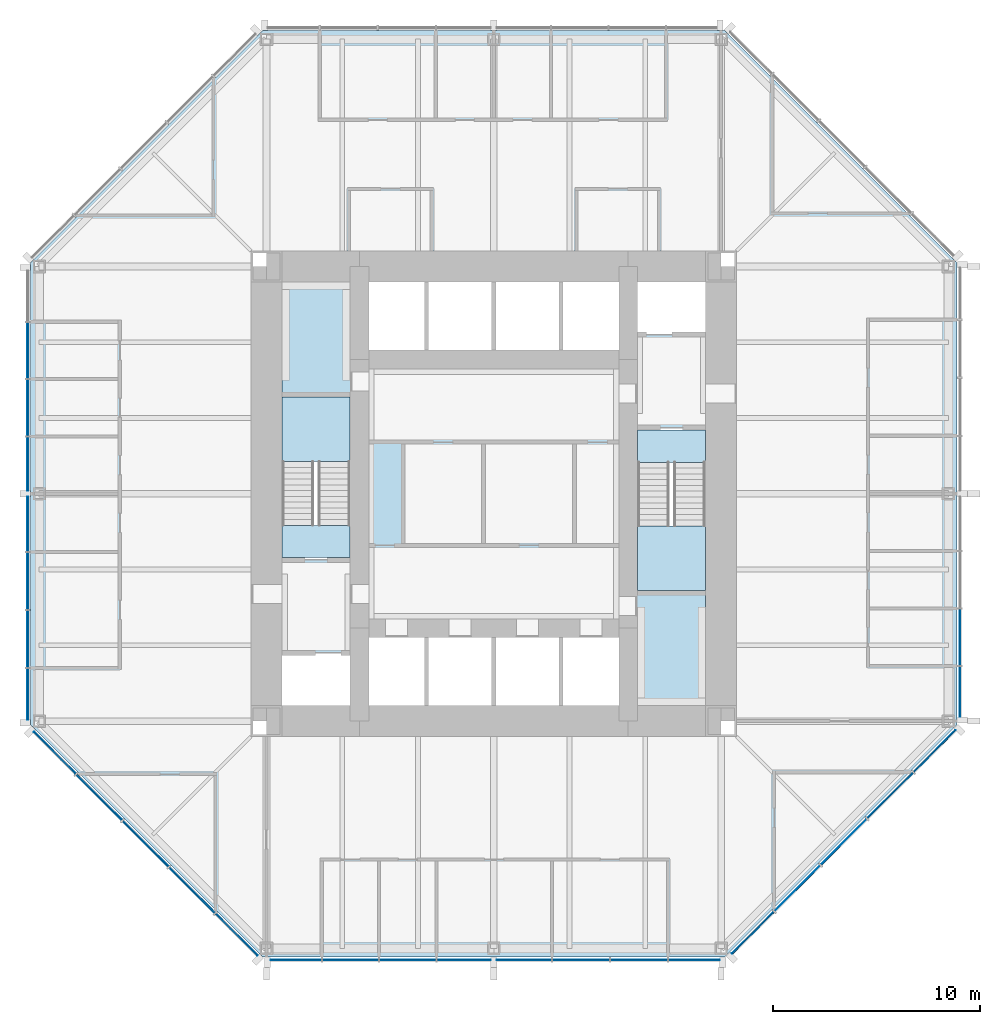
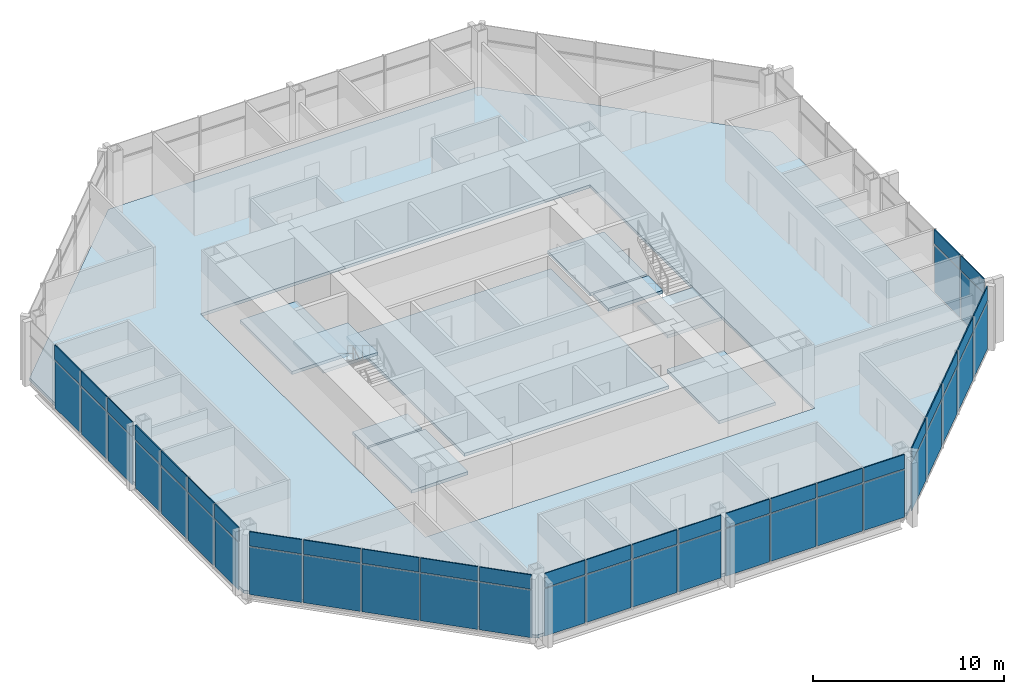
# One storey, part 7 of 12: 54 plates, 10 slabs, 7 elements without a shape of their own.
"""IFC4 building model written with IfcOpenShell, lengths in metres."""

from ifc_helpers import new_model, si_unit, direction, frame, origin, origin_2d, place, context, subcontext, project, spatial, polyline, rectangle, outline, extrude, material, layer, layer_set, type_object, element, aggregate, save


model = new_model("IFC4")

# Units and contexts
model_context = context("Model", 3, precision=1e-05, world=origin(), true_north=direction((0.0, 1.0)))
body_context = subcontext(model_context, "Body", "Model", "MODEL_VIEW")
ifc_project = project(units=[si_unit("LENGTHUNIT", "METRE"), si_unit("AREAUNIT", "SQUARE_METRE"), si_unit("VOLUMEUNIT", "CUBIC_METRE"), si_unit("PLANEANGLEUNIT", "RADIAN"), si_unit("MASSUNIT", "GRAM", prefix="KILO")], contexts=[model_context])

# Site, building, storey
site_placement = place(None, origin())
site = spatial("IfcSite", under=ifc_project, at=site_placement, CompositionType="ELEMENT")
building_placement = place(site_placement, origin())
building = spatial("IfcBuilding", under=site, at=building_placement, Name="Trevanion Tower", CompositionType="ELEMENT")
storey_placement = place(building_placement, frame((0.0, 0.0, 170.5)))
storey = spatial("IfcBuildingStorey", under=building, at=storey_placement, Name="L40", CompositionType="ELEMENT", Elevation=170.5)

# Curtain wall, plates
ifc_material_1 = material(Name="Aluminium and glass", Category="aluminium")
curtain_wall_type = type_object("IfcCurtainWallType", Name="CW2 curtain wall", PredefinedType="USERDEFINED", material=ifc_material_1)
curtain_wall_1_placement = place(storey_placement, origin())
curtain_wall_1 = element("IfcCurtainWall", 1, at=curtain_wall_1_placement, inside=storey, type_object=curtain_wall_type, Name="CW2 L40 0", ObjectType="UNITISED CURTAIN WALL", PredefinedType="USERDEFINED")
ifc_material_2 = material(Name="Aluminium spandrel panel", Category="aluminium")
ifc_layer_1 = layer(ifc_material_2, 0.06005859375)
ifc_layer_set_1 = layer_set([ifc_layer_1], Name="CW2 spandrel panel")
plate_type_1 = type_object("IfcPlateType", Name="CW2 spandrel panel", PredefinedType="CURTAIN_PANEL", material=ifc_layer_set_1)
plate_1_placement = place(storey_placement, frame((22.550048828125, -9.579345703125, 2.99755859375), z_axis=(0.0, 0.0, 1.0), x_axis=(0.0, 1.0, 0.0)))
plate_1 = element("IfcPlate", 2, at=plate_1_placement, type_object=plate_type_1, Name="CW2 panel 1.2", PredefinedType="CURTAIN_PANEL", context=body_context, shape_type="SweptSolid", body=[
    extrude(rectangle(XDim=2.43701171875, YDim=0.06005859375, at=origin_2d()), origin(), (0.0, 0.0, 1.0), 0.91259765625),
])
plate_2_placement = place(storey_placement, frame((22.550048828125, -6.93603515625, 2.99755859375), z_axis=(0.0, 0.0, 1.0), x_axis=(0.0, 1.0, 0.0)))
plate_2 = element("IfcPlate", 3, at=plate_2_placement, type_object=plate_type_1, Name="CW2 panel 2.2", PredefinedType="CURTAIN_PANEL", context=body_context, shape_type="SweptSolid", body=[
    extrude(rectangle(XDim=2.699462890625, YDim=0.06005859375, at=origin_2d()), origin(), (0.0, 0.0, 1.0), 0.91259765625),
])

curtain_wall_2_placement = place(storey_placement, origin())
curtain_wall_2 = element("IfcCurtainWall", 4, at=curtain_wall_2_placement, inside=storey, type_object=curtain_wall_type, Name="CW2 L40 4", ObjectType="UNITISED CURTAIN WALL", PredefinedType="USERDEFINED")
plate_3_placement = place(storey_placement, frame((-22.550048828125, 6.93603515625, 2.99755859375), z_axis=(0.0, 0.0, 1.0), x_axis=(0.0, -1.0, 0.0)))
plate_3 = element("IfcPlate", 5, at=plate_3_placement, type_object=plate_type_1, Name="CW2 panel 2.2", PredefinedType="CURTAIN_PANEL", context=body_context, shape_type="SweptSolid", body=[
    extrude(rectangle(XDim=2.699462890625, YDim=0.06005859375, at=origin_2d()), origin(), (0.0, 0.0, 1.0), 0.91259765625),
])
plate_4_placement = place(storey_placement, frame((-22.550048828125, 4.16162109375, 2.99755859375), z_axis=(0.0, 0.0, 1.0), x_axis=(0.0, -1.0, 0.0)))
plate_4 = element("IfcPlate", 6, at=plate_4_placement, type_object=plate_type_1, Name="CW2 panel 3.2", PredefinedType="CURTAIN_PANEL", context=body_context, shape_type="SweptSolid", body=[
    extrude(rectangle(XDim=2.699462890625, YDim=0.06005859375, at=origin_2d()), origin(), (0.0, 0.0, 1.0), 0.91259765625),
])
plate_5_placement = place(storey_placement, frame((-22.550048828125, 1.443603515625, 2.99755859375), z_axis=(0.0, 0.0, 1.0), x_axis=(0.0, -1.0, 0.0)))
plate_5 = element("IfcPlate", 7, at=plate_5_placement, type_object=plate_type_1, Name="CW2 panel 4.2", PredefinedType="CURTAIN_PANEL", context=body_context, shape_type="SweptSolid", body=[
    extrude(rectangle(XDim=2.5869140625, YDim=0.06005859375, at=origin_2d()), origin(), (0.0, 0.0, 1.0), 0.91259765625),
])
plate_6_placement = place(storey_placement, frame((-22.550048828125, -1.459716796875, 2.99755859375), z_axis=(0.0, 0.0, 1.0), x_axis=(0.0, -1.0, 0.0)))
plate_6 = element("IfcPlate", 8, at=plate_6_placement, type_object=plate_type_1, Name="CW2 panel 5.2", PredefinedType="CURTAIN_PANEL", context=body_context, shape_type="SweptSolid", body=[
    extrude(rectangle(XDim=2.619384765625, YDim=0.06005859375, at=origin_2d()), origin(), (0.0, 0.0, 1.0), 0.91259765625),
])
plate_7_placement = place(storey_placement, frame((-22.550048828125, -4.21044921875, 2.99755859375), z_axis=(0.0, 0.0, 1.0), x_axis=(0.0, -1.0, 0.0)))
plate_7 = element("IfcPlate", 9, at=plate_7_placement, type_object=plate_type_1, Name="CW2 panel 6.2", PredefinedType="CURTAIN_PANEL", context=body_context, shape_type="SweptSolid", body=[
    extrude(rectangle(XDim=2.73193359375, YDim=0.06005859375, at=origin_2d()), origin(), (0.0, 0.0, 1.0), 0.91259765625),
])
plate_8_placement = place(storey_placement, frame((-22.550048828125, -7.017333984375, 2.99755859375), z_axis=(0.0, 0.0, 1.0), x_axis=(0.0, -1.0, 0.0)))
plate_8 = element("IfcPlate", 10, at=plate_8_placement, type_object=plate_type_1, Name="CW2 panel 7.2", PredefinedType="CURTAIN_PANEL", context=body_context, shape_type="SweptSolid", body=[
    extrude(rectangle(XDim=2.73193359375, YDim=0.06005859375, at=origin_2d()), origin(), (0.0, 0.0, 1.0), 0.91259765625),
])
plate_9_placement = place(storey_placement, frame((-22.550048828125, -9.693115234375, 2.99755859375), z_axis=(0.0, 0.0, 1.0), x_axis=(0.0, -1.0, 0.0)))
plate_9 = element("IfcPlate", 11, at=plate_9_placement, type_object=plate_type_1, Name="CW2 panel 8.2", PredefinedType="CURTAIN_PANEL", context=body_context, shape_type="SweptSolid", body=[
    extrude(rectangle(XDim=2.469482421875, YDim=0.06005859375, at=origin_2d()), origin(), (0.0, 0.0, 1.0), 0.91259765625),
])

curtain_wall_3_placement = place(storey_placement, origin())
curtain_wall_3 = element("IfcCurtainWall", 12, at=curtain_wall_3_placement, inside=storey, type_object=curtain_wall_type, Name="CW2 L40 5", ObjectType="UNITISED CURTAIN WALL", PredefinedType="USERDEFINED")
plate_10_placement = place(storey_placement, frame((-21.2421875, -12.53564453125, 2.99755859375), z_axis=(0.0, 0.0, 1.0), x_axis=(0.707106781187, -0.707106781187, 0.0)))
plate_10 = element("IfcPlate", 13, at=plate_10_placement, type_object=plate_type_1, Name="CW2 panel 1.2", PredefinedType="CURTAIN_PANEL", context=body_context, shape_type="SweptSolid", body=[
    extrude(rectangle(XDim=2.8388671875, YDim=0.06005859375, at=origin_2d()), origin(), (0.0, 0.0, 1.0), 0.91259765625),
])
plate_11_placement = place(storey_placement, frame((-19.089111328125, -14.688720703125, 2.99755859375), z_axis=(0.0, 0.0, 1.0), x_axis=(0.707106781187, -0.707106781187, 0.0)))
plate_11 = element("IfcPlate", 14, at=plate_11_placement, type_object=plate_type_1, Name="CW2 panel 2.2", PredefinedType="CURTAIN_PANEL", context=body_context, shape_type="SweptSolid", body=[
    extrude(rectangle(XDim=3.101318359375, YDim=0.06005859375, at=origin_2d()), origin(), (0.0, 0.0, 1.0), 0.91259765625),
])
plate_12_placement = place(storey_placement, frame((-16.843017578125, -16.934814453125, 2.99755859375), z_axis=(0.0, 0.0, 1.0), x_axis=(0.707106781187, -0.707106781187, 0.0)))
plate_12 = element("IfcPlate", 15, at=plate_12_placement, type_object=plate_type_1, Name="CW2 panel 3.2", PredefinedType="CURTAIN_PANEL", context=body_context, shape_type="SweptSolid", body=[
    extrude(rectangle(XDim=3.101318359375, YDim=0.06005859375, at=origin_2d()), origin(), (0.0, 0.0, 1.0), 0.91259765625),
])
plate_13_placement = place(storey_placement, frame((-14.596923828125, -19.180908203125, 2.99755859375), z_axis=(0.0, 0.0, 1.0), x_axis=(0.707106781187, -0.707106781187, 0.0)))
plate_13 = element("IfcPlate", 16, at=plate_13_placement, type_object=plate_type_1, Name="CW2 panel 4.2", PredefinedType="CURTAIN_PANEL", context=body_context, shape_type="SweptSolid", body=[
    extrude(rectangle(XDim=3.101318359375, YDim=0.06005859375, at=origin_2d()), origin(), (0.0, 0.0, 1.0), 0.91259765625),
])
plate_14_placement = place(storey_placement, frame((-12.443603515625, -21.334228515625, 2.99755859375), z_axis=(0.0, 0.0, 1.0), x_axis=(0.707106781187, -0.707106781187, 0.0)))
plate_14 = element("IfcPlate", 17, at=plate_14_placement, type_object=plate_type_1, Name="CW2 panel 5.2", PredefinedType="CURTAIN_PANEL", context=body_context, shape_type="SweptSolid", body=[
    extrude(rectangle(XDim=2.8388671875, YDim=0.06005859375, at=origin_2d()), origin(), (0.0, 0.0, 1.0), 0.91259765625),
])

curtain_wall_4_placement = place(storey_placement, origin())
curtain_wall_4 = element("IfcCurtainWall", 18, at=curtain_wall_4_placement, inside=storey, type_object=curtain_wall_type, Name="CW2 L40 6", ObjectType="UNITISED CURTAIN WALL", PredefinedType="USERDEFINED")
plate_15_placement = place(storey_placement, frame((-9.579345703125, -22.550048828125, 2.99755859375), z_axis=(0.0, 0.0, 1.0), x_axis=(1.0, 0.0, 0.0)))
plate_15 = element("IfcPlate", 19, at=plate_15_placement, type_object=plate_type_1, Name="CW2 panel 1.2", PredefinedType="CURTAIN_PANEL", context=body_context, shape_type="SweptSolid", body=[
    extrude(rectangle(XDim=2.43701171875, YDim=0.06005859375, at=origin_2d()), origin(), (0.0, 0.0, 1.0), 0.91259765625),
])
plate_16_placement = place(storey_placement, frame((-6.93603515625, -22.550048828125, 2.99755859375), z_axis=(0.0, 0.0, 1.0), x_axis=(1.0, 0.0, 0.0)))
plate_16 = element("IfcPlate", 20, at=plate_16_placement, type_object=plate_type_1, Name="CW2 panel 2.2", PredefinedType="CURTAIN_PANEL", context=body_context, shape_type="SweptSolid", body=[
    extrude(rectangle(XDim=2.699462890625, YDim=0.06005859375, at=origin_2d()), origin(), (0.0, 0.0, 1.0), 0.91259765625),
])
plate_17_placement = place(storey_placement, frame((-4.16162109375, -22.550048828125, 2.99755859375), z_axis=(0.0, 0.0, 1.0), x_axis=(1.0, 0.0, 0.0)))
plate_17 = element("IfcPlate", 21, at=plate_17_placement, type_object=plate_type_1, Name="CW2 panel 3.2", PredefinedType="CURTAIN_PANEL", context=body_context, shape_type="SweptSolid", body=[
    extrude(rectangle(XDim=2.699462890625, YDim=0.06005859375, at=origin_2d()), origin(), (0.0, 0.0, 1.0), 0.91259765625),
])
plate_18_placement = place(storey_placement, frame((-1.443603515625, -22.550048828125, 2.99755859375), z_axis=(0.0, 0.0, 1.0), x_axis=(1.0, 0.0, 0.0)))
plate_18 = element("IfcPlate", 22, at=plate_18_placement, type_object=plate_type_1, Name="CW2 panel 4.2", PredefinedType="CURTAIN_PANEL", context=body_context, shape_type="SweptSolid", body=[
    extrude(rectangle(XDim=2.5869140625, YDim=0.06005859375, at=origin_2d()), origin(), (0.0, 0.0, 1.0), 0.91259765625),
])
plate_19_placement = place(storey_placement, frame((1.459716796875, -22.550048828125, 2.99755859375), z_axis=(0.0, 0.0, 1.0), x_axis=(1.0, 0.0, 0.0)))
plate_19 = element("IfcPlate", 23, at=plate_19_placement, type_object=plate_type_1, Name="CW2 panel 5.2", PredefinedType="CURTAIN_PANEL", context=body_context, shape_type="SweptSolid", body=[
    extrude(rectangle(XDim=2.619384765625, YDim=0.06005859375, at=origin_2d()), origin(), (0.0, 0.0, 1.0), 0.91259765625),
])
plate_20_placement = place(storey_placement, frame((4.21044921875, -22.550048828125, 2.99755859375), z_axis=(0.0, 0.0, 1.0), x_axis=(1.0, 0.0, 0.0)))
plate_20 = element("IfcPlate", 24, at=plate_20_placement, type_object=plate_type_1, Name="CW2 panel 6.2", PredefinedType="CURTAIN_PANEL", context=body_context, shape_type="SweptSolid", body=[
    extrude(rectangle(XDim=2.73193359375, YDim=0.06005859375, at=origin_2d()), origin(), (0.0, 0.0, 1.0), 0.91259765625),
])
plate_21_placement = place(storey_placement, frame((7.017333984375, -22.550048828125, 2.99755859375), z_axis=(0.0, 0.0, 1.0), x_axis=(1.0, 0.0, 0.0)))
plate_21 = element("IfcPlate", 25, at=plate_21_placement, type_object=plate_type_1, Name="CW2 panel 7.2", PredefinedType="CURTAIN_PANEL", context=body_context, shape_type="SweptSolid", body=[
    extrude(rectangle(XDim=2.73193359375, YDim=0.06005859375, at=origin_2d()), origin(), (0.0, 0.0, 1.0), 0.91259765625),
])
plate_22_placement = place(storey_placement, frame((9.693115234375, -22.550048828125, 2.99755859375), z_axis=(0.0, 0.0, 1.0), x_axis=(1.0, 0.0, 0.0)))
plate_22 = element("IfcPlate", 26, at=plate_22_placement, type_object=plate_type_1, Name="CW2 panel 8.2", PredefinedType="CURTAIN_PANEL", context=body_context, shape_type="SweptSolid", body=[
    extrude(rectangle(XDim=2.469482421875, YDim=0.06005859375, at=origin_2d()), origin(), (0.0, 0.0, 1.0), 0.91259765625),
])

curtain_wall_5_placement = place(storey_placement, origin())
curtain_wall_5 = element("IfcCurtainWall", 27, at=curtain_wall_5_placement, inside=storey, type_object=curtain_wall_type, Name="CW2 L40 7", ObjectType="UNITISED CURTAIN WALL", PredefinedType="USERDEFINED")
plate_23_placement = place(storey_placement, frame((12.53564453125, -21.2421875, 2.99755859375), z_axis=(0.0, 0.0, 1.0), x_axis=(0.707106781187, 0.707106781187, 0.0)))
plate_23 = element("IfcPlate", 28, at=plate_23_placement, type_object=plate_type_1, Name="CW2 panel 1.2", PredefinedType="CURTAIN_PANEL", context=body_context, shape_type="SweptSolid", body=[
    extrude(rectangle(XDim=2.8388671875, YDim=0.06005859375, at=origin_2d()), origin(), (0.0, 0.0, 1.0), 0.91259765625),
])
plate_24_placement = place(storey_placement, frame((14.688720703125, -19.089111328125, 2.99755859375), z_axis=(0.0, 0.0, 1.0), x_axis=(0.707106781187, 0.707106781187, 0.0)))
plate_24 = element("IfcPlate", 29, at=plate_24_placement, type_object=plate_type_1, Name="CW2 panel 2.2", PredefinedType="CURTAIN_PANEL", context=body_context, shape_type="SweptSolid", body=[
    extrude(rectangle(XDim=3.101318359375, YDim=0.06005859375, at=origin_2d()), origin(), (0.0, 0.0, 1.0), 0.91259765625),
])
plate_25_placement = place(storey_placement, frame((16.934814453125, -16.843017578125, 2.99755859375), z_axis=(0.0, 0.0, 1.0), x_axis=(0.707106781187, 0.707106781187, 0.0)))
plate_25 = element("IfcPlate", 30, at=plate_25_placement, type_object=plate_type_1, Name="CW2 panel 3.2", PredefinedType="CURTAIN_PANEL", context=body_context, shape_type="SweptSolid", body=[
    extrude(rectangle(XDim=3.101318359375, YDim=0.06005859375, at=origin_2d()), origin(), (0.0, 0.0, 1.0), 0.91259765625),
])
plate_26_placement = place(storey_placement, frame((19.180908203125, -14.596923828125, 2.99755859375), z_axis=(0.0, 0.0, 1.0), x_axis=(0.707106781187, 0.707106781187, 0.0)))
plate_26 = element("IfcPlate", 31, at=plate_26_placement, type_object=plate_type_1, Name="CW2 panel 4.2", PredefinedType="CURTAIN_PANEL", context=body_context, shape_type="SweptSolid", body=[
    extrude(rectangle(XDim=3.101318359375, YDim=0.06005859375, at=origin_2d()), origin(), (0.0, 0.0, 1.0), 0.91259765625),
])
plate_27_placement = place(storey_placement, frame((21.334228515625, -12.443603515625, 2.99755859375), z_axis=(0.0, 0.0, 1.0), x_axis=(0.707106781187, 0.707106781187, 0.0)))
plate_27 = element("IfcPlate", 32, at=plate_27_placement, type_object=plate_type_1, Name="CW2 panel 5.2", PredefinedType="CURTAIN_PANEL", context=body_context, shape_type="SweptSolid", body=[
    extrude(rectangle(XDim=2.8388671875, YDim=0.06005859375, at=origin_2d()), origin(), (0.0, 0.0, 1.0), 0.91259765625),
])

# Plate
ifc_material_3 = material(Name="Insulating glass unit", Category="glass")
ifc_layer_2 = layer(ifc_material_3, 0.028076171875)
ifc_layer_set_2 = layer_set([ifc_layer_2], Name="CW2 vision panel")
plate_type_2 = type_object("IfcPlateType", Name="CW2 vision panel", PredefinedType="CURTAIN_PANEL", material=ifc_layer_set_2)
plate_28_placement = place(storey_placement, frame((22.550048828125, -9.579345703125, -0.114990234375), z_axis=(0.0, 0.0, 1.0), x_axis=(0.0, 1.0, 0.0)))
plate_28 = element("IfcPlate", 33, at=plate_28_placement, type_object=plate_type_2, Name="CW2 panel 1.1", PredefinedType="CURTAIN_PANEL", context=body_context, shape_type="SweptSolid", body=[
    extrude(rectangle(XDim=2.43701171875, YDim=0.028076171875, at=origin_2d()), origin(), (0.0, 0.0, 1.0), 3.03759765625),
])

plate_29_placement = place(storey_placement, frame((22.550048828125, -6.93603515625, -0.114990234375), z_axis=(0.0, 0.0, 1.0), x_axis=(0.0, 1.0, 0.0)))
plate_29 = element("IfcPlate", 34, at=plate_29_placement, type_object=plate_type_2, Name="CW2 panel 2.1", PredefinedType="CURTAIN_PANEL", context=body_context, shape_type="SweptSolid", body=[
    extrude(rectangle(XDim=2.699462890625, YDim=0.028076171875, at=origin_2d()), origin(), (0.0, 0.0, 1.0), 3.03759765625),
])

aggregate(curtain_wall_1, [plate_28, plate_1, plate_29, plate_2])

plate_30_placement = place(storey_placement, frame((-22.550048828125, 6.93603515625, -0.114990234375), z_axis=(0.0, 0.0, 1.0), x_axis=(0.0, -1.0, 0.0)))
plate_30 = element("IfcPlate", 35, at=plate_30_placement, type_object=plate_type_2, Name="CW2 panel 2.1", PredefinedType="CURTAIN_PANEL", context=body_context, shape_type="SweptSolid", body=[
    extrude(rectangle(XDim=2.699462890625, YDim=0.028076171875, at=origin_2d()), origin(), (0.0, 0.0, 1.0), 3.03759765625),
])

plate_31_placement = place(storey_placement, frame((-22.550048828125, 4.16162109375, -0.114990234375), z_axis=(0.0, 0.0, 1.0), x_axis=(0.0, -1.0, 0.0)))
plate_31 = element("IfcPlate", 36, at=plate_31_placement, type_object=plate_type_2, Name="CW2 panel 3.1", PredefinedType="CURTAIN_PANEL", context=body_context, shape_type="SweptSolid", body=[
    extrude(rectangle(XDim=2.699462890625, YDim=0.028076171875, at=origin_2d()), origin(), (0.0, 0.0, 1.0), 3.03759765625),
])

plate_32_placement = place(storey_placement, frame((-22.550048828125, 1.443603515625, -0.114990234375), z_axis=(0.0, 0.0, 1.0), x_axis=(0.0, -1.0, 0.0)))
plate_32 = element("IfcPlate", 37, at=plate_32_placement, type_object=plate_type_2, Name="CW2 panel 4.1", PredefinedType="CURTAIN_PANEL", context=body_context, shape_type="SweptSolid", body=[
    extrude(rectangle(XDim=2.5869140625, YDim=0.028076171875, at=origin_2d()), origin(), (0.0, 0.0, 1.0), 3.03759765625),
])

plate_33_placement = place(storey_placement, frame((-22.550048828125, -1.459716796875, -0.114990234375), z_axis=(0.0, 0.0, 1.0), x_axis=(0.0, -1.0, 0.0)))
plate_33 = element("IfcPlate", 38, at=plate_33_placement, type_object=plate_type_2, Name="CW2 panel 5.1", PredefinedType="CURTAIN_PANEL", context=body_context, shape_type="SweptSolid", body=[
    extrude(rectangle(XDim=2.619384765625, YDim=0.028076171875, at=origin_2d()), origin(), (0.0, 0.0, 1.0), 3.03759765625),
])

plate_34_placement = place(storey_placement, frame((-22.550048828125, -4.21044921875, -0.114990234375), z_axis=(0.0, 0.0, 1.0), x_axis=(0.0, -1.0, 0.0)))
plate_34 = element("IfcPlate", 39, at=plate_34_placement, type_object=plate_type_2, Name="CW2 panel 6.1", PredefinedType="CURTAIN_PANEL", context=body_context, shape_type="SweptSolid", body=[
    extrude(rectangle(XDim=2.73193359375, YDim=0.028076171875, at=origin_2d()), origin(), (0.0, 0.0, 1.0), 3.03759765625),
])

plate_35_placement = place(storey_placement, frame((-22.550048828125, -7.017333984375, -0.114990234375), z_axis=(0.0, 0.0, 1.0), x_axis=(0.0, -1.0, 0.0)))
plate_35 = element("IfcPlate", 40, at=plate_35_placement, type_object=plate_type_2, Name="CW2 panel 7.1", PredefinedType="CURTAIN_PANEL", context=body_context, shape_type="SweptSolid", body=[
    extrude(rectangle(XDim=2.73193359375, YDim=0.028076171875, at=origin_2d()), origin(), (0.0, 0.0, 1.0), 3.03759765625),
])

plate_36_placement = place(storey_placement, frame((-22.550048828125, -9.693115234375, -0.114990234375), z_axis=(0.0, 0.0, 1.0), x_axis=(0.0, -1.0, 0.0)))
plate_36 = element("IfcPlate", 41, at=plate_36_placement, type_object=plate_type_2, Name="CW2 panel 8.1", PredefinedType="CURTAIN_PANEL", context=body_context, shape_type="SweptSolid", body=[
    extrude(rectangle(XDim=2.469482421875, YDim=0.028076171875, at=origin_2d()), origin(), (0.0, 0.0, 1.0), 3.03759765625),
])

aggregate(curtain_wall_2, [plate_30, plate_3, plate_31, plate_4, plate_32, plate_5, plate_33, plate_6, plate_34, plate_7, plate_35, plate_8, plate_36, plate_9])

plate_37_placement = place(storey_placement, frame((-21.2421875, -12.53564453125, -0.114990234375), z_axis=(0.0, 0.0, 1.0), x_axis=(0.707106781187, -0.707106781187, 0.0)))
plate_37 = element("IfcPlate", 42, at=plate_37_placement, type_object=plate_type_2, Name="CW2 panel 1.1", PredefinedType="CURTAIN_PANEL", context=body_context, shape_type="SweptSolid", body=[
    extrude(rectangle(XDim=2.8388671875, YDim=0.028076171875, at=origin_2d()), origin(), (0.0, 0.0, 1.0), 3.03759765625),
])

plate_38_placement = place(storey_placement, frame((-19.089111328125, -14.688720703125, -0.114990234375), z_axis=(0.0, 0.0, 1.0), x_axis=(0.707106781187, -0.707106781187, 0.0)))
plate_38 = element("IfcPlate", 43, at=plate_38_placement, type_object=plate_type_2, Name="CW2 panel 2.1", PredefinedType="CURTAIN_PANEL", context=body_context, shape_type="SweptSolid", body=[
    extrude(rectangle(XDim=3.101318359375, YDim=0.028076171875, at=origin_2d()), origin(), (0.0, 0.0, 1.0), 3.03759765625),
])

plate_39_placement = place(storey_placement, frame((-16.843017578125, -16.934814453125, -0.114990234375), z_axis=(0.0, 0.0, 1.0), x_axis=(0.707106781187, -0.707106781187, 0.0)))
plate_39 = element("IfcPlate", 44, at=plate_39_placement, type_object=plate_type_2, Name="CW2 panel 3.1", PredefinedType="CURTAIN_PANEL", context=body_context, shape_type="SweptSolid", body=[
    extrude(rectangle(XDim=3.101318359375, YDim=0.028076171875, at=origin_2d()), origin(), (0.0, 0.0, 1.0), 3.03759765625),
])

plate_40_placement = place(storey_placement, frame((-14.596923828125, -19.180908203125, -0.114990234375), z_axis=(0.0, 0.0, 1.0), x_axis=(0.707106781187, -0.707106781187, 0.0)))
plate_40 = element("IfcPlate", 45, at=plate_40_placement, type_object=plate_type_2, Name="CW2 panel 4.1", PredefinedType="CURTAIN_PANEL", context=body_context, shape_type="SweptSolid", body=[
    extrude(rectangle(XDim=3.101318359375, YDim=0.028076171875, at=origin_2d()), origin(), (0.0, 0.0, 1.0), 3.03759765625),
])

plate_41_placement = place(storey_placement, frame((-12.443603515625, -21.334228515625, -0.114990234375), z_axis=(0.0, 0.0, 1.0), x_axis=(0.707106781187, -0.707106781187, 0.0)))
plate_41 = element("IfcPlate", 46, at=plate_41_placement, type_object=plate_type_2, Name="CW2 panel 5.1", PredefinedType="CURTAIN_PANEL", context=body_context, shape_type="SweptSolid", body=[
    extrude(rectangle(XDim=2.8388671875, YDim=0.028076171875, at=origin_2d()), origin(), (0.0, 0.0, 1.0), 3.03759765625),
])

aggregate(curtain_wall_3, [plate_37, plate_10, plate_38, plate_11, plate_39, plate_12, plate_40, plate_13, plate_41, plate_14])

plate_42_placement = place(storey_placement, frame((-9.579345703125, -22.550048828125, -0.114990234375), z_axis=(0.0, 0.0, 1.0), x_axis=(1.0, 0.0, 0.0)))
plate_42 = element("IfcPlate", 47, at=plate_42_placement, type_object=plate_type_2, Name="CW2 panel 1.1", PredefinedType="CURTAIN_PANEL", context=body_context, shape_type="SweptSolid", body=[
    extrude(rectangle(XDim=2.43701171875, YDim=0.028076171875, at=origin_2d()), origin(), (0.0, 0.0, 1.0), 3.03759765625),
])

plate_43_placement = place(storey_placement, frame((-6.93603515625, -22.550048828125, -0.114990234375), z_axis=(0.0, 0.0, 1.0), x_axis=(1.0, 0.0, 0.0)))
plate_43 = element("IfcPlate", 48, at=plate_43_placement, type_object=plate_type_2, Name="CW2 panel 2.1", PredefinedType="CURTAIN_PANEL", context=body_context, shape_type="SweptSolid", body=[
    extrude(rectangle(XDim=2.699462890625, YDim=0.028076171875, at=origin_2d()), origin(), (0.0, 0.0, 1.0), 3.03759765625),
])

plate_44_placement = place(storey_placement, frame((-4.16162109375, -22.550048828125, -0.114990234375), z_axis=(0.0, 0.0, 1.0), x_axis=(1.0, 0.0, 0.0)))
plate_44 = element("IfcPlate", 49, at=plate_44_placement, type_object=plate_type_2, Name="CW2 panel 3.1", PredefinedType="CURTAIN_PANEL", context=body_context, shape_type="SweptSolid", body=[
    extrude(rectangle(XDim=2.699462890625, YDim=0.028076171875, at=origin_2d()), origin(), (0.0, 0.0, 1.0), 3.03759765625),
])

plate_45_placement = place(storey_placement, frame((-1.443603515625, -22.550048828125, -0.114990234375), z_axis=(0.0, 0.0, 1.0), x_axis=(1.0, 0.0, 0.0)))
plate_45 = element("IfcPlate", 50, at=plate_45_placement, type_object=plate_type_2, Name="CW2 panel 4.1", PredefinedType="CURTAIN_PANEL", context=body_context, shape_type="SweptSolid", body=[
    extrude(rectangle(XDim=2.5869140625, YDim=0.028076171875, at=origin_2d()), origin(), (0.0, 0.0, 1.0), 3.03759765625),
])

plate_46_placement = place(storey_placement, frame((1.459716796875, -22.550048828125, -0.114990234375), z_axis=(0.0, 0.0, 1.0), x_axis=(1.0, 0.0, 0.0)))
plate_46 = element("IfcPlate", 51, at=plate_46_placement, type_object=plate_type_2, Name="CW2 panel 5.1", PredefinedType="CURTAIN_PANEL", context=body_context, shape_type="SweptSolid", body=[
    extrude(rectangle(XDim=2.619384765625, YDim=0.028076171875, at=origin_2d()), origin(), (0.0, 0.0, 1.0), 3.03759765625),
])

plate_47_placement = place(storey_placement, frame((4.21044921875, -22.550048828125, -0.114990234375), z_axis=(0.0, 0.0, 1.0), x_axis=(1.0, 0.0, 0.0)))
plate_47 = element("IfcPlate", 52, at=plate_47_placement, type_object=plate_type_2, Name="CW2 panel 6.1", PredefinedType="CURTAIN_PANEL", context=body_context, shape_type="SweptSolid", body=[
    extrude(rectangle(XDim=2.73193359375, YDim=0.028076171875, at=origin_2d()), origin(), (0.0, 0.0, 1.0), 3.03759765625),
])

plate_48_placement = place(storey_placement, frame((7.017333984375, -22.550048828125, -0.114990234375), z_axis=(0.0, 0.0, 1.0), x_axis=(1.0, 0.0, 0.0)))
plate_48 = element("IfcPlate", 53, at=plate_48_placement, type_object=plate_type_2, Name="CW2 panel 7.1", PredefinedType="CURTAIN_PANEL", context=body_context, shape_type="SweptSolid", body=[
    extrude(rectangle(XDim=2.73193359375, YDim=0.028076171875, at=origin_2d()), origin(), (0.0, 0.0, 1.0), 3.03759765625),
])

plate_49_placement = place(storey_placement, frame((9.693115234375, -22.550048828125, -0.114990234375), z_axis=(0.0, 0.0, 1.0), x_axis=(1.0, 0.0, 0.0)))
plate_49 = element("IfcPlate", 54, at=plate_49_placement, type_object=plate_type_2, Name="CW2 panel 8.1", PredefinedType="CURTAIN_PANEL", context=body_context, shape_type="SweptSolid", body=[
    extrude(rectangle(XDim=2.469482421875, YDim=0.028076171875, at=origin_2d()), origin(), (0.0, 0.0, 1.0), 3.03759765625),
])

aggregate(curtain_wall_4, [plate_42, plate_15, plate_43, plate_16, plate_44, plate_17, plate_45, plate_18, plate_46, plate_19, plate_47, plate_20, plate_48, plate_21, plate_49, plate_22])

plate_50_placement = place(storey_placement, frame((12.53564453125, -21.2421875, -0.114990234375), z_axis=(0.0, 0.0, 1.0), x_axis=(0.707106781187, 0.707106781187, 0.0)))
plate_50 = element("IfcPlate", 55, at=plate_50_placement, type_object=plate_type_2, Name="CW2 panel 1.1", PredefinedType="CURTAIN_PANEL", context=body_context, shape_type="SweptSolid", body=[
    extrude(rectangle(XDim=2.8388671875, YDim=0.028076171875, at=origin_2d()), origin(), (0.0, 0.0, 1.0), 3.03759765625),
])

plate_51_placement = place(storey_placement, frame((14.688720703125, -19.089111328125, -0.114990234375), z_axis=(0.0, 0.0, 1.0), x_axis=(0.707106781187, 0.707106781187, 0.0)))
plate_51 = element("IfcPlate", 56, at=plate_51_placement, type_object=plate_type_2, Name="CW2 panel 2.1", PredefinedType="CURTAIN_PANEL", context=body_context, shape_type="SweptSolid", body=[
    extrude(rectangle(XDim=3.101318359375, YDim=0.028076171875, at=origin_2d()), origin(), (0.0, 0.0, 1.0), 3.03759765625),
])

plate_52_placement = place(storey_placement, frame((16.934814453125, -16.843017578125, -0.114990234375), z_axis=(0.0, 0.0, 1.0), x_axis=(0.707106781187, 0.707106781187, 0.0)))
plate_52 = element("IfcPlate", 57, at=plate_52_placement, type_object=plate_type_2, Name="CW2 panel 3.1", PredefinedType="CURTAIN_PANEL", context=body_context, shape_type="SweptSolid", body=[
    extrude(rectangle(XDim=3.101318359375, YDim=0.028076171875, at=origin_2d()), origin(), (0.0, 0.0, 1.0), 3.03759765625),
])

plate_53_placement = place(storey_placement, frame((19.180908203125, -14.596923828125, -0.114990234375), z_axis=(0.0, 0.0, 1.0), x_axis=(0.707106781187, 0.707106781187, 0.0)))
plate_53 = element("IfcPlate", 58, at=plate_53_placement, type_object=plate_type_2, Name="CW2 panel 4.1", PredefinedType="CURTAIN_PANEL", context=body_context, shape_type="SweptSolid", body=[
    extrude(rectangle(XDim=3.101318359375, YDim=0.028076171875, at=origin_2d()), origin(), (0.0, 0.0, 1.0), 3.03759765625),
])

plate_54_placement = place(storey_placement, frame((21.334228515625, -12.443603515625, -0.114990234375), z_axis=(0.0, 0.0, 1.0), x_axis=(0.707106781187, 0.707106781187, 0.0)))
plate_54 = element("IfcPlate", 59, at=plate_54_placement, type_object=plate_type_2, Name="CW2 panel 5.1", PredefinedType="CURTAIN_PANEL", context=body_context, shape_type="SweptSolid", body=[
    extrude(rectangle(XDim=2.8388671875, YDim=0.028076171875, at=origin_2d()), origin(), (0.0, 0.0, 1.0), 3.03759765625),
])

aggregate(curtain_wall_5, [plate_50, plate_23, plate_51, plate_24, plate_52, plate_25, plate_53, plate_26, plate_54, plate_27])

# Slabs
ifc_material_4 = material(Name="Concrete 5,000 psi on composite metal deck", Category="concrete")
ifc_layer_3 = layer(ifc_material_4, 0.18994140625)
ifc_layer_set_3 = layer_set([ifc_layer_3], Name="SL1 composite floor 190")
slab_type_1 = type_object("IfcSlabType", Name="SL1 composite floor 190", PredefinedType="FLOOR", material=ifc_layer_set_3)
slab_1_placement = place(storey_placement, frame((0.0, 0.0, -0.18994140625)))
element("IfcSlab", 60, at=slab_1_placement, inside=storey, type_object=slab_type_1, Name="SL1 L40 floor", PredefinedType="FLOOR", context=body_context, shape_type="SweptSolid", body=[
    extrude(outline(polyline([(22.419921875, -11.174072265625), (22.419921875, 11.174072265625), (11.174072265625, 22.419921875), (-11.174072265625, 22.419921875), (-22.419921875, 11.174072265625), (-22.419921875, -11.174072265625), (-11.174072265625, -22.419921875), (11.174072265625, -22.419921875), (22.419921875, -11.174072265625)]), holes=[polyline([(11.75, -11.75), (11.75, 11.75), (-11.75, 11.75), (-11.75, -11.75), (11.75, -11.75)])]), origin(), (0.0, 0.0, 1.0), 0.18994140625),
])
ifc_material_5 = material(Name="Concrete 5,000 psi", Category="concrete")
ifc_layer_4 = layer(ifc_material_5, 0.199951171875)
ifc_layer_set_4 = layer_set([ifc_layer_4], Name="SL2 core floor 200")
slab_type_2 = type_object("IfcSlabType", Name="SL2 core floor 200", PredefinedType="FLOOR", material=ifc_layer_set_4)
slab_2_placement = place(storey_placement, frame((0.0, 0.0, -0.199951171875)))
element("IfcSlab", 61, at=slab_2_placement, inside=storey, type_object=slab_type_2, Name="SL2 L40 core floor 1", PredefinedType="FLOOR", context=body_context, shape_type="SweptSolid", body=[
    extrude(outline(polyline([(10.25, -4.804931640625), (10.25, -10.25), (6.830078125, -10.25), (6.830078125, -4.804931640625), (10.25, -4.804931640625)])), origin(), (0.0, 0.0, 1.0), 0.199951171875),
])
slab_3_placement = place(storey_placement, frame((0.0, 0.0, -0.199951171875)))
element("IfcSlab", 62, at=slab_3_placement, inside=storey, type_object=slab_type_2, Name="SL2 L40 core floor 2", PredefinedType="FLOOR", context=body_context, shape_type="SweptSolid", body=[
    extrude(outline(polyline([(-6.830078125, -3.205078125), (-6.830078125, -7.695068359375), (-10.25, -7.695068359375), (-10.25, -3.205078125), (-6.830078125, -3.205078125)])), origin(), (0.0, 0.0, 1.0), 0.199951171875),
])
slab_4_placement = place(storey_placement, frame((0.0, 0.0, -0.199951171875)))
element("IfcSlab", 63, at=slab_4_placement, inside=storey, type_object=slab_type_2, Name="SL2 L40 core floor 3", PredefinedType="FLOOR", context=body_context, shape_type="SweptSolid", body=[
    extrude(outline(polyline([(6.169921875, -6.169921875), (-6.169921875, -6.169921875), (-6.169921875, 6.169921875), (6.169921875, 6.169921875), (6.169921875, -6.169921875)])), origin(), (0.0, 0.0, 1.0), 0.199951171875),
])
slab_5_placement = place(storey_placement, frame((0.0, 0.0, -0.199951171875)))
element("IfcSlab", 64, at=slab_5_placement, inside=storey, type_object=slab_type_2, Name="SL2 L40 core floor 4", PredefinedType="FLOOR", context=body_context, shape_type="SweptSolid", body=[
    extrude(outline(polyline([(6.830078125, 3.205078125), (6.830078125, 7.695068359375), (10.25, 7.695068359375), (10.25, 3.205078125), (6.830078125, 3.205078125)])), origin(), (0.0, 0.0, 1.0), 0.199951171875),
])
slab_6_placement = place(storey_placement, frame((0.0, 0.0, -0.199951171875)))
element("IfcSlab", 65, at=slab_6_placement, inside=storey, type_object=slab_type_2, Name="SL2 L40 core floor 5", PredefinedType="FLOOR", context=body_context, shape_type="SweptSolid", body=[
    extrude(outline(polyline([(-6.830078125, 4.804931640625), (-10.25, 4.804931640625), (-10.25, 10.25), (-6.830078125, 10.25), (-6.830078125, 4.804931640625)])), origin(), (0.0, 0.0, 1.0), 0.199951171875),
])

# Stair, slabs
ifc_material_6 = material(Name="Concrete 5,000 psi on steel stringers", Category="concrete")
stair_type = type_object("IfcStairType", Name="ST stair", PredefinedType="HALF_TURN_STAIR", material=ifc_material_6)
stair_1_placement = place(storey_placement, origin())
stair_1 = element("IfcStair", 66, at=stair_1_placement, inside=storey, type_object=stair_type, Name="ST1 L40", PredefinedType="HALF_TURN_STAIR")
ifc_material_7 = material(Name="Concrete 5,000 psi in steel pan", Category="concrete")
ifc_layer_5 = layer(ifc_material_7, 0.199951171875)
ifc_layer_set_5 = layer_set([ifc_layer_5], Name="STL stair landing 200")
slab_type_3 = type_object("IfcSlabType", Name="STL stair landing 200", PredefinedType="LANDING", material=ifc_layer_set_5)
slab_7_placement = place(storey_placement, frame((0.0, 0.0, -0.199951171875)))
slab_7 = element("IfcSlab", 67, at=slab_7_placement, type_object=slab_type_3, Name="ST1 landing 1", PredefinedType="LANDING", context=body_context, shape_type="SweptSolid", body=[
    extrude(outline(polyline([(6.949951171875, 1.52490234375), (10.25, 1.52490234375), (10.25, 3.074951171875), (6.949951171875, 3.074951171875), (6.949951171875, 1.52490234375)])), origin(), (0.0, 0.0, 1.0), 0.199951171875),
])
slab_8_placement = place(storey_placement, frame((0.0, 0.0, 1.85009765625)))
slab_8 = element("IfcSlab", 68, at=slab_8_placement, type_object=slab_type_3, Name="ST1 landing 2", PredefinedType="LANDING", context=body_context, shape_type="SweptSolid", body=[
    extrude(outline(polyline([(6.949951171875, -4.675048828125), (10.25, -4.675048828125), (10.25, -1.554931640625), (6.949951171875, -1.554931640625), (6.949951171875, -4.675048828125)])), origin(), (0.0, 0.0, 1.0), 0.199951171875),
])
aggregate(stair_1, [slab_7, slab_8])

stair_2_placement = place(storey_placement, origin())
stair_2 = element("IfcStair", 69, at=stair_2_placement, inside=storey, type_object=stair_type, Name="ST2 L40", PredefinedType="HALF_TURN_STAIR")
slab_9_placement = place(storey_placement, frame((0.0, 0.0, -0.199951171875)))
slab_9 = element("IfcSlab", 70, at=slab_9_placement, type_object=slab_type_3, Name="ST2 landing 1", PredefinedType="LANDING", context=body_context, shape_type="SweptSolid", body=[
    extrude(outline(polyline([(-6.949951171875, -1.52490234375), (-10.25, -1.52490234375), (-10.25, -3.074951171875), (-6.949951171875, -3.074951171875), (-6.949951171875, -1.52490234375)])), origin(), (0.0, 0.0, 1.0), 0.199951171875),
])
slab_10_placement = place(storey_placement, frame((0.0, 0.0, 1.85009765625)))
slab_10 = element("IfcSlab", 71, at=slab_10_placement, type_object=slab_type_3, Name="ST2 landing 2", PredefinedType="LANDING", context=body_context, shape_type="SweptSolid", body=[
    extrude(outline(polyline([(-6.949951171875, 4.675048828125), (-10.25, 4.675048828125), (-10.25, 1.554931640625), (-6.949951171875, 1.554931640625), (-6.949951171875, 4.675048828125)])), origin(), (0.0, 0.0, 1.0), 0.199951171875),
])
aggregate(stair_2, [slab_9, slab_10])

save(model, "model.ifc")
